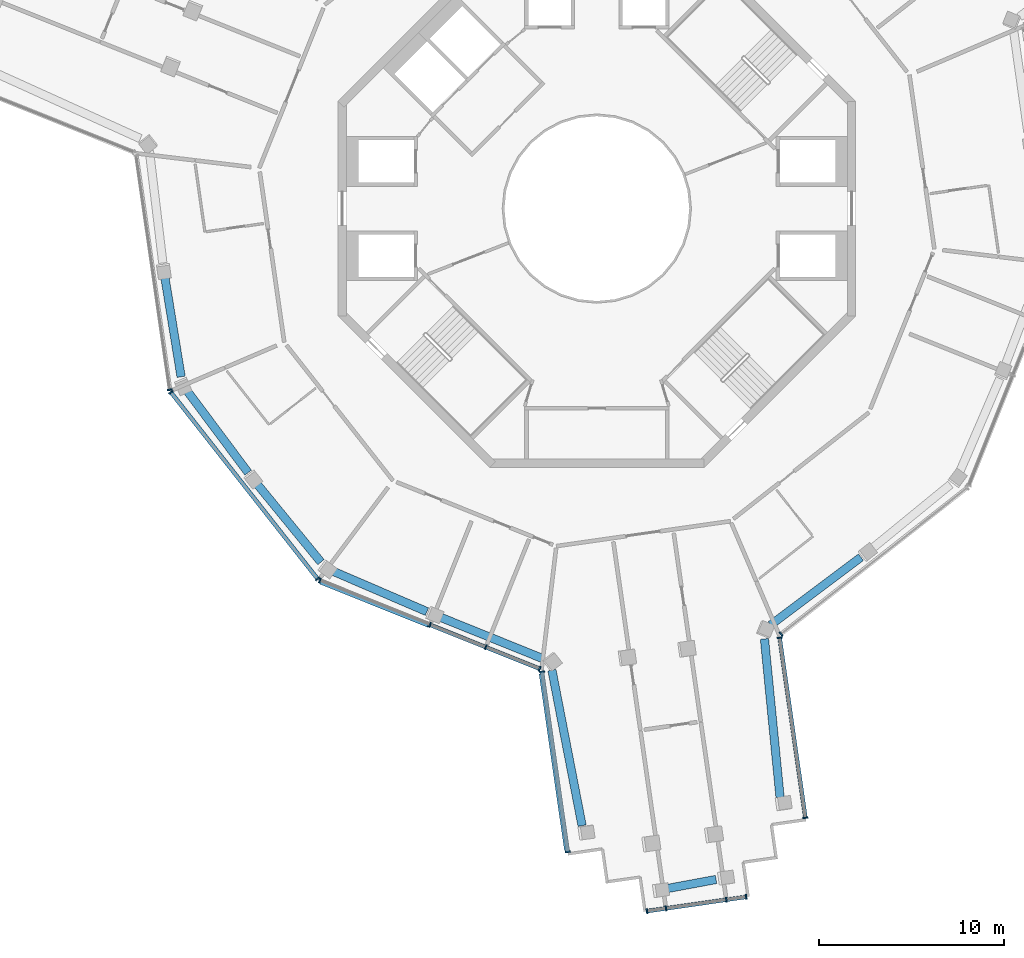
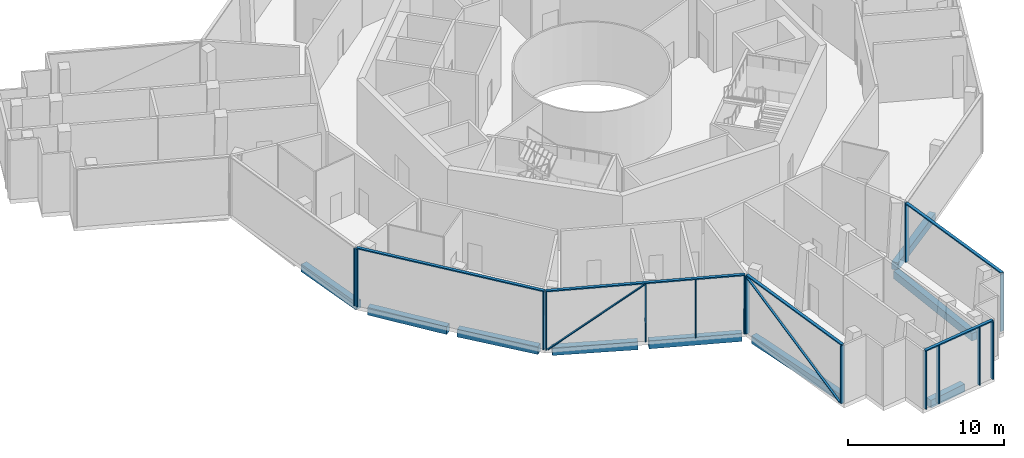
# One storey, part 2 of 19: 23 members, 9 beams, 7 elements without a shape of their own.
"""IFC4 building model written with IfcOpenShell, lengths in metres."""

from ifc_helpers import new_model, si_unit, direction, frame, origin, origin_2d, place, context, subcontext, project, spatial, rectangle, extrude, material, layer, layer_set, material_profile, profile_set, type_object, element, aggregate, save


model = new_model("IFC4")

# Units and contexts
model_context = context("Model", 3, precision=1e-05, world=origin(), true_north=direction((0.0, 1.0)))
body_context = subcontext(model_context, "Body", "Model", "MODEL_VIEW")
ifc_project = project(units=[si_unit("LENGTHUNIT", "METRE"), si_unit("AREAUNIT", "SQUARE_METRE"), si_unit("VOLUMEUNIT", "CUBIC_METRE"), si_unit("PLANEANGLEUNIT", "RADIAN"), si_unit("MASSUNIT", "GRAM", prefix="KILO")], contexts=[model_context])

# Site, building, storey
site_placement = place(None, origin())
site = spatial("IfcSite", under=ifc_project, at=site_placement, CompositionType="ELEMENT")
building_placement = place(site_placement, origin())
building = spatial("IfcBuilding", under=site, at=building_placement, Name="Verdalira Terraces Hotel", CompositionType="ELEMENT")
storey_placement = place(building_placement, frame((0.0, 0.0, 310.0)))
storey = spatial("IfcBuildingStorey", under=building, at=storey_placement, Name="L77", CompositionType="ELEMENT", Elevation=310.0)

# Curtain wall, member
ifc_material_1 = material(Name="Clear glass", Category="glass")
ifc_layer = layer(ifc_material_1, 0.280029296875)
ifc_layer_set = layer_set([ifc_layer], Name="CW6 curtain wall")
curtain_wall_type = type_object("IfcCurtainWallType", Name="CW6 curtain wall", PredefinedType="NOTDEFINED", material=ifc_layer_set)
curtain_wall_1_placement = place(storey_placement, origin())
curtain_wall_1 = element("IfcCurtainWall", 1, at=curtain_wall_1_placement, inside=storey, type_object=curtain_wall_type, Name="CW6 curtain wall L77 edge 11", PredefinedType="NOTDEFINED")
ifc_material_2 = material(Name="Terracotta frame", Category="masonry")
ifc_material_profile_1 = material_profile(ifc_material_2, rectangle(XDim=0.080078, YDim=0.280029, at=origin_2d()), Name="MU 80x280")
ifc_profile_set_1 = profile_set([ifc_material_profile_1], Name="Terracotta frame")
member_type_1 = type_object("IfcMemberType", Name="CW6 mullion 80x280", PredefinedType="MULLION", material=ifc_profile_set_1)
member_1_placement = place(storey_placement, frame((-23.091553, -9.796631, 0.0), z_axis=(0.0, 0.0, 1.0), x_axis=(0.141937905, -0.989875563, 0.0)))
member_1 = element("IfcMember", 2, at=member_1_placement, type_object=member_type_1, Name="CW6 mullion", PredefinedType="MULLION", context=body_context, shape_type="SweptSolid", body=[
    extrude(rectangle(XDim=0.080078, YDim=0.280029, at=origin_2d()), origin(), (0.0, 0.0, 1.0), 4.51001),
])
aggregate(curtain_wall_1, [member_1])

# Curtain wall, members
curtain_wall_2_placement = place(storey_placement, origin())
curtain_wall_2 = element("IfcCurtainWall", 3, at=curtain_wall_2_placement, inside=storey, type_object=curtain_wall_type, Name="CW6 curtain wall L77 edge 12", PredefinedType="NOTDEFINED")
member_2_placement = place(storey_placement, frame((-23.032715, -9.934326, 0.0), z_axis=(0.0, 0.0, 1.0), x_axis=(0.617859613, -0.786288432, 0.0)))
member_2 = element("IfcMember", 4, at=member_2_placement, type_object=member_type_1, Name="CW6 mullion", PredefinedType="MULLION", context=body_context, shape_type="SweptSolid", body=[
    extrude(rectangle(XDim=0.080078, YDim=0.280029, at=origin_2d()), origin(), (0.0, 0.0, 1.0), 4.51001),
])
member_3_placement = place(storey_placement, frame((-15.099609, -20.029785, 0.0), z_axis=(0.0, 0.0, 1.0), x_axis=(0.617859613, -0.786288432, 0.0)))
member_3 = element("IfcMember", 5, at=member_3_placement, type_object=member_type_1, Name="CW6 mullion", PredefinedType="MULLION", context=body_context, shape_type="SweptSolid", body=[
    extrude(rectangle(XDim=0.080078, YDim=0.280029, at=origin_2d()), origin(), (0.0, 0.0, 1.0), 4.51001),
])

curtain_wall_3_placement = place(storey_placement, origin())
curtain_wall_3 = element("IfcCurtainWall", 6, at=curtain_wall_3_placement, inside=storey, type_object=curtain_wall_type, Name="CW6 curtain wall L77 edge 13", PredefinedType="NOTDEFINED")
member_4_placement = place(storey_placement, frame((-14.979736, -20.119629, 0.0), z_axis=(0.0, 0.0, 1.0), x_axis=(0.928226337, -0.37201595, 0.0)))
member_4 = element("IfcMember", 7, at=member_4_placement, type_object=member_type_1, Name="CW6 mullion", PredefinedType="MULLION", context=body_context, shape_type="SweptSolid", body=[
    extrude(rectangle(XDim=0.080078, YDim=0.280029, at=origin_2d()), origin(), (0.0, 0.0, 1.0), 4.51001),
])
member_5_placement = place(storey_placement, frame((-9.020752, -22.508057, 0.0), z_axis=(0.0, 0.0, 1.0), x_axis=(0.928226337, -0.37201595, 0.0)))
member_5 = element("IfcMember", 8, at=member_5_placement, type_object=member_type_1, Name="CW6 mullion", PredefinedType="MULLION", context=body_context, shape_type="SweptSolid", body=[
    extrude(rectangle(XDim=0.080078, YDim=0.280029, at=origin_2d()), origin(), (0.0, 0.0, 1.0), 4.51001),
])
member_6_placement = place(storey_placement, frame((-6.00415, -23.717041, 0.0), z_axis=(0.0, 0.0, 1.0), x_axis=(0.928226337, -0.37201595, 0.0)))
member_6 = element("IfcMember", 9, at=member_6_placement, type_object=member_type_1, Name="CW6 mullion", PredefinedType="MULLION", context=body_context, shape_type="SweptSolid", body=[
    extrude(rectangle(XDim=0.080078, YDim=0.280029, at=origin_2d()), origin(), (0.0, 0.0, 1.0), 4.51001),
])
member_7_placement = place(storey_placement, frame((-3.093994, -24.883301, 0.0), z_axis=(0.0, 0.0, 1.0), x_axis=(0.928226337, -0.37201595, 0.0)))
member_7 = element("IfcMember", 10, at=member_7_placement, type_object=member_type_1, Name="CW6 mullion", PredefinedType="MULLION", context=body_context, shape_type="SweptSolid", body=[
    extrude(rectangle(XDim=0.080078, YDim=0.280029, at=origin_2d()), origin(), (0.0, 0.0, 1.0), 4.51001),
])

curtain_wall_4_placement = place(storey_placement, origin())
curtain_wall_4 = element("IfcCurtainWall", 11, at=curtain_wall_4_placement, inside=storey, type_object=curtain_wall_type, Name="CW6 curtain wall L77 edge 14", PredefinedType="NOTDEFINED")
member_8_placement = place(storey_placement, frame((-2.964844, -25.047852, 0.0), z_axis=(0.0, 0.0, 1.0), x_axis=(0.141937905, -0.989875563, 0.0)))
member_8 = element("IfcMember", 12, at=member_8_placement, type_object=member_type_1, Name="CW6 mullion", PredefinedType="MULLION", context=body_context, shape_type="SweptSolid", body=[
    extrude(rectangle(XDim=0.080078, YDim=0.280029, at=origin_2d()), origin(), (0.0, 0.0, 1.0), 4.51001),
])
member_9_placement = place(storey_placement, frame((-1.568604, -34.784912, 0.0), z_axis=(0.0, 0.0, 1.0), x_axis=(0.141937905, -0.989875563, 0.0)))
member_9 = element("IfcMember", 13, at=member_9_placement, type_object=member_type_1, Name="CW6 mullion", PredefinedType="MULLION", context=body_context, shape_type="SweptSolid", body=[
    extrude(rectangle(XDim=0.080078, YDim=0.280029, at=origin_2d()), origin(), (0.0, 0.0, 1.0), 4.51001),
])

curtain_wall_5_placement = place(storey_placement, origin())
curtain_wall_5 = element("IfcCurtainWall", 14, at=curtain_wall_5_placement, inside=storey, type_object=curtain_wall_type, Name="CW6 curtain wall L77 edge 19", PredefinedType="NOTDEFINED")
member_10_placement = place(storey_placement, frame((2.709717, -37.98999, 0.0), z_axis=(0.0, 0.0, 1.0), x_axis=(0.989875563, 0.141937905, 0.0)))
member_10 = element("IfcMember", 15, at=member_10_placement, type_object=member_type_1, Name="CW6 mullion", PredefinedType="MULLION", context=body_context, shape_type="SweptSolid", body=[
    extrude(rectangle(XDim=0.080078, YDim=0.280029, at=origin_2d()), origin(), (0.0, 0.0, 1.0), 4.51001),
])
member_11_placement = place(storey_placement, frame((3.737305, -37.842773, 0.0), z_axis=(0.0, 0.0, 1.0), x_axis=(0.989875563, 0.141937905, 0.0)))
member_11 = element("IfcMember", 16, at=member_11_placement, type_object=member_type_1, Name="CW6 mullion", PredefinedType="MULLION", context=body_context, shape_type="SweptSolid", body=[
    extrude(rectangle(XDim=0.080078, YDim=0.280029, at=origin_2d()), origin(), (0.0, 0.0, 1.0), 4.51001),
])
member_12_placement = place(storey_placement, frame((7.001709, -37.374512, 0.0), z_axis=(0.0, 0.0, 1.0), x_axis=(0.989875563, 0.141937905, 0.0)))
member_12 = element("IfcMember", 17, at=member_12_placement, type_object=member_type_1, Name="CW6 mullion", PredefinedType="MULLION", context=body_context, shape_type="SweptSolid", body=[
    extrude(rectangle(XDim=0.080078, YDim=0.280029, at=origin_2d()), origin(), (0.0, 0.0, 1.0), 4.51001),
])
member_13_placement = place(storey_placement, frame((8.074707, -37.220703, 0.0), z_axis=(0.0, 0.0, 1.0), x_axis=(0.989875563, 0.141937905, 0.0)))
member_13 = element("IfcMember", 18, at=member_13_placement, type_object=member_type_1, Name="CW6 mullion", PredefinedType="MULLION", context=body_context, shape_type="SweptSolid", body=[
    extrude(rectangle(XDim=0.080078, YDim=0.280029, at=origin_2d()), origin(), (0.0, 0.0, 1.0), 4.51001),
])

curtain_wall_6_placement = place(storey_placement, origin())
curtain_wall_6 = element("IfcCurtainWall", 19, at=curtain_wall_6_placement, inside=storey, type_object=curtain_wall_type, Name="CW6 curtain wall L77 edge 24", PredefinedType="NOTDEFINED")
member_14_placement = place(storey_placement, frame((11.280029, -32.942383, 0.0), z_axis=(0.0, 0.0, 1.0), x_axis=(-0.141937905, 0.989875563, 0.0)))
member_14 = element("IfcMember", 20, at=member_14_placement, type_object=member_type_1, Name="CW6 mullion", PredefinedType="MULLION", context=body_context, shape_type="SweptSolid", body=[
    extrude(rectangle(XDim=0.080078, YDim=0.280029, at=origin_2d()), origin(), (0.0, 0.0, 1.0), 4.51001),
])
member_15_placement = place(storey_placement, frame((9.883789, -23.205322, 0.0), z_axis=(0.0, 0.0, 1.0), x_axis=(-0.141937905, 0.989875563, 0.0)))
member_15 = element("IfcMember", 21, at=member_15_placement, type_object=member_type_1, Name="CW6 mullion", PredefinedType="MULLION", context=body_context, shape_type="SweptSolid", body=[
    extrude(rectangle(XDim=0.080078, YDim=0.280029, at=origin_2d()), origin(), (0.0, 0.0, 1.0), 4.51001),
])

# Curtain wall, member
curtain_wall_7_placement = place(storey_placement, origin())
curtain_wall_7 = element("IfcCurtainWall", 22, at=curtain_wall_7_placement, inside=storey, type_object=curtain_wall_type, Name="CW6 curtain wall L77 edge 25", PredefinedType="NOTDEFINED")
member_16_placement = place(storey_placement, frame((9.96167, -23.01123, 0.0), z_axis=(0.0, 0.0, 1.0), x_axis=(0.786288432, 0.617859613, 0.0)))
member_16 = element("IfcMember", 23, at=member_16_placement, type_object=member_type_1, Name="CW6 mullion", PredefinedType="MULLION", context=body_context, shape_type="SweptSolid", body=[
    extrude(rectangle(XDim=0.080078, YDim=0.280029, at=origin_2d()), origin(), (0.0, 0.0, 1.0), 4.51001),
])
aggregate(curtain_wall_7, [member_16])

# Member
ifc_material_3 = material(Name="Terracotta frame", Category="masonry")
ifc_material_profile_2 = material_profile(ifc_material_3, rectangle(XDim=0.219971, YDim=0.090088, at=origin_2d()), Name="TR 90x220")
ifc_profile_set_2 = profile_set([ifc_material_profile_2], Name="Terracotta frame")
member_type_2 = type_object("IfcMemberType", Name="CW6 transom 90x220", PredefinedType="USERDEFINED", material=ifc_profile_set_2)
member_17_placement = place(storey_placement, frame((-23.057373, -9.902832, 4.554932), z_axis=(0.617859107, -0.78628883, 0.0), x_axis=(0.78628883, 0.617859107, 0.0)))
member_17 = element("IfcMember", 24, at=member_17_placement, type_object=member_type_2, Name="CW6 transom", ObjectType="TRANSOM", PredefinedType="USERDEFINED", context=body_context, shape_type="SweptSolid", body=[
    extrude(rectangle(XDim=0.219971, YDim=0.090088, at=origin_2d()), origin(), (0.0, 0.0, 1.0), 12.919434),
])

aggregate(curtain_wall_2, [member_2, member_3, member_17])

member_18_placement = place(storey_placement, frame((-15.016846, -20.104736, 4.554932), z_axis=(0.928222964, -0.372024367, 0.0), x_axis=(0.372024367, 0.928222964, 0.0)))
member_18 = element("IfcMember", 25, at=member_18_placement, type_object=member_type_2, Name="CW6 transom", ObjectType="TRANSOM", PredefinedType="USERDEFINED", context=body_context, shape_type="SweptSolid", body=[
    extrude(rectangle(XDim=0.219971, YDim=0.090088, at=origin_2d()), origin(), (0.0, 0.0, 1.0), 12.884766),
])

member_19_placement = place(storey_placement, frame((-2.970459, -25.008301, 4.554932), z_axis=(0.141931454, -0.989876488, 0.0), x_axis=(0.989876488, 0.141931454, 0.0)))
member_19 = element("IfcMember", 26, at=member_19_placement, type_object=member_type_2, Name="CW6 transom", ObjectType="TRANSOM", PredefinedType="USERDEFINED", context=body_context, shape_type="SweptSolid", body=[
    extrude(rectangle(XDim=0.219971, YDim=0.090088, at=origin_2d()), origin(), (0.0, 0.0, 1.0), 9.916504),
])

member_20_placement = place(storey_placement, frame((2.670166, -37.995605, 4.554932), z_axis=(0.989878343, 0.141918519, 0.0), x_axis=(-0.141918519, 0.989878343, 0.0)))
member_20 = element("IfcMember", 27, at=member_20_placement, type_object=member_type_2, Name="CW6 transom", ObjectType="TRANSOM", PredefinedType="USERDEFINED", context=body_context, shape_type="SweptSolid", body=[
    extrude(rectangle(XDim=0.219971, YDim=0.090088, at=origin_2d()), origin(), (0.0, 0.0, 1.0), 5.499756),
])

aggregate(curtain_wall_5, [member_10, member_11, member_12, member_13, member_20])

member_21_placement = place(storey_placement, frame((11.285645, -32.982178, 4.554932), z_axis=(-0.141927995, 0.989876984, 0.0), x_axis=(-0.989876984, -0.141927995, 0.0)))
member_21 = element("IfcMember", 28, at=member_21_placement, type_object=member_type_2, Name="CW6 transom", ObjectType="TRANSOM", PredefinedType="USERDEFINED", context=body_context, shape_type="SweptSolid", body=[
    extrude(rectangle(XDim=0.219971, YDim=0.090088, at=origin_2d()), origin(), (0.0, 0.0, 1.0), 9.916748),
])

aggregate(curtain_wall_6, [member_14, member_15, member_21])

ifc_material_4 = material(Name="Terracotta frame", Category="masonry")
ifc_material_profile_3 = material_profile(ifc_material_4, rectangle(XDim=0.149902, YDim=0.060059, at=origin_2d()), Name="GB 60x150")
ifc_profile_set_3 = profile_set([ifc_material_profile_3], Name="Terracotta frame")
member_type_3 = type_object("IfcMemberType", Name="Diagonal glazing bar 60x150", PredefinedType="USERDEFINED", material=ifc_profile_set_3)
member_22_placement = place(storey_placement, frame((-14.946533, -20.240723, 0.025635), z_axis=(0.756377588, -0.303141385, 0.579653556), x_axis=(0.372015142, 0.928226661, 0.0)))
member_22 = element("IfcMember", 29, at=member_22_placement, type_object=member_type_3, Name="Diagonal glazing bar", ObjectType="GLAZING BAR", PredefinedType="USERDEFINED", context=body_context, shape_type="SweptSolid", body=[
    extrude(rectangle(XDim=0.149902, YDim=0.060059, at=origin_2d()), origin(), (0.0, 0.0, 1.0), 7.692139),
])

aggregate(curtain_wall_3, [member_4, member_5, member_6, member_7, member_18, member_22])

member_23_placement = place(storey_placement, frame((-3.049561, -25.161621, 4.481934), z_axis=(0.128846592, -0.898522126, -0.419590927), x_axis=(0.989874352, 0.14194635, 0.0)))
member_23 = element("IfcMember", 30, at=member_23_placement, type_object=member_type_3, Name="Diagonal glazing bar", ObjectType="GLAZING BAR", PredefinedType="USERDEFINED", context=body_context, shape_type="SweptSolid", body=[
    extrude(rectangle(XDim=0.149902, YDim=0.060059, at=origin_2d()), origin(), (0.0, 0.0, 1.0), 10.614746),
])

aggregate(curtain_wall_4, [member_8, member_9, member_19, member_23])

# Beams
ifc_material_5 = material(Name="Concrete C40", Category="concrete")
ifc_material_profile_4 = material_profile(ifc_material_5, rectangle(XDim=0.449951, YDim=0.600098, at=origin_2d()), Name="RC 450X600")
ifc_profile_set_4 = profile_set([ifc_material_profile_4], Name="Concrete C40")
beam_type = type_object("IfcBeamType", Name="Spandrel beam RC 450X600 C40", PredefinedType="SPANDREL", material=ifc_profile_set_4)
beam_1_placement = place(storey_placement, frame((-23.369629, -3.647217, -0.610107), z_axis=(0.160999171, -0.986954542, 0.0), x_axis=(0.986954542, 0.160999171, 0.0)))
element("IfcBeam", 31, at=beam_1_placement, inside=storey, type_object=beam_type, Name="Spandrel beam B05", PredefinedType="SPANDREL", context=body_context, shape_type="SweptSolid", body=[
    extrude(rectangle(XDim=0.449951, YDim=0.600098, at=origin_2d()), origin(), (0.0, 0.0, 1.0), 5.52124),
])
beam_2_placement = place(storey_placement, frame((-22.158203, -9.852295, -0.610107), z_axis=(0.597904749, -0.801567159, 0.0), x_axis=(0.801567159, 0.597904749, 0.0)))
element("IfcBeam", 32, at=beam_2_placement, inside=storey, type_object=beam_type, Name="Spandrel beam B06", PredefinedType="SPANDREL", context=body_context, shape_type="SweptSolid", body=[
    extrude(rectangle(XDim=0.449951, YDim=0.600098, at=origin_2d()), origin(), (0.0, 0.0, 1.0), 5.523926),
])
beam_3_placement = place(storey_placement, frame((-18.415039, -14.843506, -0.610107), z_axis=(0.632905433, -0.774229109, 0.0), x_axis=(0.774229109, 0.632905433, 0.0)))
element("IfcBeam", 33, at=beam_3_placement, inside=storey, type_object=beam_type, Name="Spandrel beam B07", PredefinedType="SPANDREL", context=body_context, shape_type="SweptSolid", body=[
    extrude(rectangle(XDim=0.449951, YDim=0.600098, at=origin_2d()), origin(), (0.0, 0.0, 1.0), 5.52124),
])
beam_4_placement = place(storey_placement, frame((-14.263184, -19.611572, -0.610107), z_axis=(0.918577091, -0.395241861, 0.0), x_axis=(0.395241861, 0.918577091, 0.0)))
element("IfcBeam", 34, at=beam_4_placement, inside=storey, type_object=beam_type, Name="Spandrel beam B08", PredefinedType="SPANDREL", context=body_context, shape_type="SweptSolid", body=[
    extrude(rectangle(XDim=0.449951, YDim=0.600098, at=origin_2d()), origin(), (0.0, 0.0, 1.0), 5.523438),
])
beam_5_placement = place(storey_placement, frame((-8.536133, -22.066895, -0.610107), z_axis=(0.927134684, -0.374728272, 0.0), x_axis=(0.374728272, 0.927134684, 0.0)))
element("IfcBeam", 35, at=beam_5_placement, inside=storey, type_object=beam_type, Name="Spandrel beam B09", PredefinedType="SPANDREL", context=body_context, shape_type="SweptSolid", body=[
    extrude(rectangle(XDim=0.449951, YDim=0.600098, at=origin_2d()), origin(), (0.0, 0.0, 1.0), 6.011475),
])
beam_6_placement = place(storey_placement, frame((-2.428467, -24.959717, -0.610107), z_axis=(0.190456149, -0.981695704, 0.0), x_axis=(0.981695704, 0.190456149, 0.0)))
element("IfcBeam", 36, at=beam_6_placement, inside=storey, type_object=beam_type, Name="Spandrel beam B10", PredefinedType="SPANDREL", context=body_context, shape_type="SweptSolid", body=[
    extrude(rectangle(XDim=0.449951, YDim=0.600098, at=origin_2d()), origin(), (0.0, 0.0, 1.0), 8.56543),
])
beam_7_placement = place(storey_placement, frame((3.651611, -36.798096, -0.610107), z_axis=(0.983108503, 0.183023693, 0.0), x_axis=(-0.183023693, 0.983108503, 0.0)))
element("IfcBeam", 37, at=beam_7_placement, inside=storey, type_object=beam_type, Name="Spandrel beam B11", PredefinedType="SPANDREL", context=body_context, shape_type="SweptSolid", body=[
    extrude(rectangle(XDim=0.449951, YDim=0.600098, at=origin_2d()), origin(), (0.0, 0.0, 1.0), 2.843994),
])
beam_8_placement = place(storey_placement, frame((9.907959, -31.837646, -0.610107), z_axis=(-0.098037915, 0.99518268, 0.0), x_axis=(-0.99518268, -0.098037915, 0.0)))
element("IfcBeam", 38, at=beam_8_placement, inside=storey, type_object=beam_type, Name="Spandrel beam B12", PredefinedType="SPANDREL", context=body_context, shape_type="SweptSolid", body=[
    extrude(rectangle(XDim=0.449951, YDim=0.600098, at=origin_2d()), origin(), (0.0, 0.0, 1.0), 8.608887),
])
beam_9_placement = place(storey_placement, frame((9.400879, -22.510986, -0.610107), z_axis=(0.800379429, 0.599493762, 0.0), x_axis=(-0.599493762, 0.800379429, 0.0)))
element("IfcBeam", 39, at=beam_9_placement, inside=storey, type_object=beam_type, Name="Spandrel beam B13", PredefinedType="SPANDREL", context=body_context, shape_type="SweptSolid", body=[
    extrude(rectangle(XDim=0.449951, YDim=0.600098, at=origin_2d()), origin(), (0.0, 0.0, 1.0), 6.097168),
])

save(model, "model.ifc")
